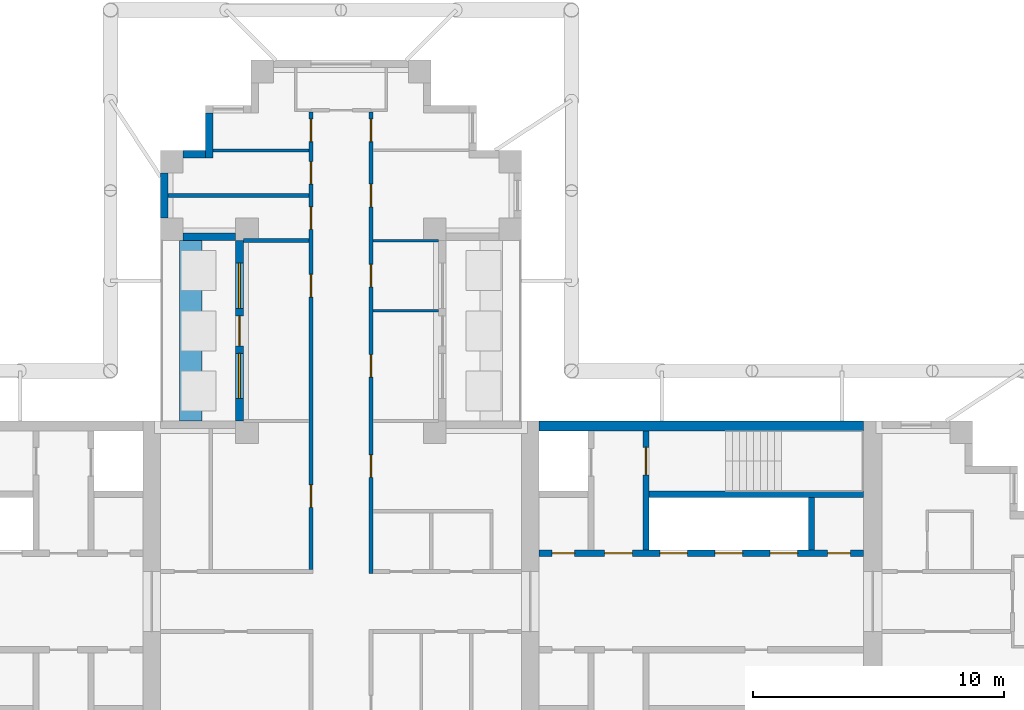
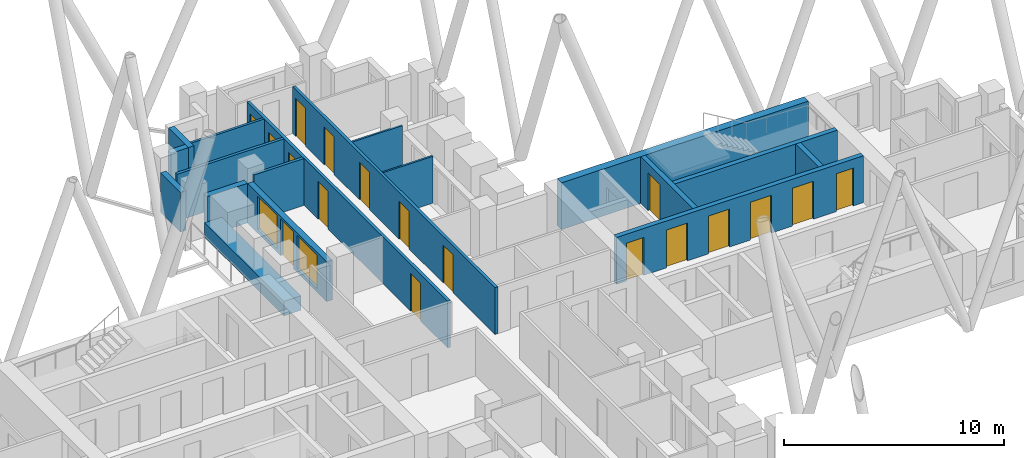
# One storey, part 7 of 12: 18 doors, 18 walls, 2 windows, 20 openings.
"""IFC4 building model written with IfcOpenShell, lengths in metres."""

from ifc_helpers import new_model, si_unit, direction, frame, frame_2d, origin, place, context, subcontext, project, spatial, rectangle, extrude, material, layer, layer_set, type_object, element, fill, save


model = new_model("IFC4")

# Units and contexts
model_context = context("Model", 3, precision=1e-05, world=origin(), true_north=direction((0.0, 1.0)))
body_context = subcontext(model_context, "Body", "Model", "MODEL_VIEW")
ifc_project = project(units=[si_unit("LENGTHUNIT", "METRE"), si_unit("AREAUNIT", "SQUARE_METRE"), si_unit("VOLUMEUNIT", "CUBIC_METRE"), si_unit("PLANEANGLEUNIT", "RADIAN"), si_unit("MASSUNIT", "GRAM", prefix="KILO")], contexts=[model_context])

# Site, building, storey
site_placement = place(None, origin())
site = spatial("IfcSite", under=ifc_project, at=site_placement, CompositionType="ELEMENT")
building_placement = place(site_placement, origin())
building = spatial("IfcBuilding", under=site, at=building_placement, Name="Fustian Cross Tower", CompositionType="ELEMENT")
storey_placement = place(building_placement, frame((0.0, 0.0, 188.699951171875)))
storey = spatial("IfcBuildingStorey", under=building, at=storey_placement, Name="L59", CompositionType="ELEMENT", Elevation=188.699951171875)

# Walls
ifc_material_1 = material(Name="Plasterboard on steel stud", Category="steel")
ifc_layer_1 = layer(ifc_material_1, 0.14990234375)
ifc_layer_set_1 = layer_set([ifc_layer_1], Name="Plasterboard on steel stud")
wall_type_1 = type_object("IfcWallType", Name="COMPARTMENT WALL 150 EI 60", PredefinedType="PARTITIONING", material=ifc_layer_set_1)
wall_1_placement = place(storey_placement, frame((-6.89990234375, 16.199951171875, 0.0), z_axis=(0.0, 0.0, 1.0), x_axis=(1.0, 0.0, 0.0)))
element("IfcWall", 1, at=wall_1_placement, inside=storey, type_object=wall_type_1, Name="Partition 15", PredefinedType="PARTITIONING", context=body_context, shape_type="SweptSolid", body=[
    extrude(rectangle(XDim=5.625, YDim=0.14990234375, at=frame_2d((2.8125, 0.0))), origin(), (0.0, 0.0, 1.0), 2.60009765625),
])
wall_2_placement = place(storey_placement, frame((-3.89990234375, 14.39990234375, 0.0), z_axis=(0.0, 0.0, 1.0), x_axis=(1.0, 0.0, 0.0)))
element("IfcWall", 2, at=wall_2_placement, inside=storey, type_object=wall_type_1, Name="Partition 22", PredefinedType="PARTITIONING", context=body_context, shape_type="SweptSolid", body=[
    extrude(rectangle(XDim=2.625, YDim=0.14990234375, at=frame_2d((1.3125, 0.0))), origin(), (0.0, 0.0, 1.0), 2.60009765625),
])

# Wall, openings, doors
wall_3_placement = place(storey_placement, frame((-1.199951171875, 1.27490234375, 0.0), z_axis=(0.0, 0.0, 1.0), x_axis=(0.0, 1.0, 0.0)))
wall_3 = element("IfcWall", 3, at=wall_3_placement, inside=storey, type_object=wall_type_1, Name="Partition 29", PredefinedType="PARTITIONING", context=body_context, shape_type="SweptSolid", body=[
    extrude(rectangle(XDim=18.25, YDim=0.14990234375, at=frame_2d((9.125, 0.0))), origin(), (0.0, 0.0, 1.0), 2.60009765625),
])
opening_1_placement = place(wall_3_placement, frame((2.47509765625, 0.0, 0.0)))
opening_1 = element("IfcOpeningElement", 4, at=opening_1_placement, cuts=wall_3, Name="Opening D27004", PredefinedType="OPENING", context=body_context, shape_type="SweptSolid", body=[
    extrude(rectangle(XDim=0.89990234375, YDim=2.10009765625, at=frame_2d((0.449951171875, 1.050048828125))), frame((0.0, 0.0849609375, 0.0), z_axis=(0.0, -1.0, 0.0), x_axis=(1.0, 0.0, 0.0)), (0.0, 0.0, 1.0), 0.169921875),
])
opening_2_placement = place(wall_3_placement, frame((10.875, 0.0, 0.0)))
opening_2 = element("IfcOpeningElement", 5, at=opening_2_placement, cuts=wall_3, Name="Opening D27015", PredefinedType="OPENING", context=body_context, shape_type="SweptSolid", body=[
    extrude(rectangle(XDim=0.89990234375, YDim=2.10009765625, at=frame_2d((0.449951171875, 1.050048828125))), frame((0.0, 0.0849609375, 0.0), z_axis=(0.0, -1.0, 0.0), x_axis=(1.0, 0.0, 0.0)), (0.0, 0.0, 1.0), 0.169921875),
])
opening_3_placement = place(wall_3_placement, frame((13.574951171875, 0.0, 0.0)))
opening_3 = element("IfcOpeningElement", 6, at=opening_3_placement, cuts=wall_3, Name="Opening D27016", PredefinedType="OPENING", context=body_context, shape_type="SweptSolid", body=[
    extrude(rectangle(XDim=0.89990234375, YDim=2.10009765625, at=frame_2d((0.449951171875, 1.050048828125))), frame((0.0, 0.0849609375, 0.0), z_axis=(0.0, -1.0, 0.0), x_axis=(1.0, 0.0, 0.0)), (0.0, 0.0, 1.0), 0.169921875),
])
opening_4_placement = place(wall_3_placement, frame((15.375, 0.0, 0.0)))
opening_4 = element("IfcOpeningElement", 7, at=opening_4_placement, cuts=wall_3, Name="Opening D27017", PredefinedType="OPENING", context=body_context, shape_type="SweptSolid", body=[
    extrude(rectangle(XDim=0.89990234375, YDim=2.10009765625, at=frame_2d((0.449951171875, 1.050048828125))), frame((0.0, 0.0849609375, 0.0), z_axis=(0.0, -1.0, 0.0), x_axis=(1.0, 0.0, 0.0)), (0.0, 0.0, 1.0), 0.169921875),
])
opening_5_placement = place(wall_3_placement, frame((17.074951171875, 0.0, 0.0)))
opening_5 = element("IfcOpeningElement", 8, at=opening_5_placement, cuts=wall_3, Name="Opening D27018", PredefinedType="OPENING", context=body_context, shape_type="SweptSolid", body=[
    extrude(rectangle(XDim=0.89990234375, YDim=2.10009765625, at=frame_2d((0.449951171875, 1.050048828125))), frame((0.0, 0.0849609375, 0.0), z_axis=(0.0, -1.0, 0.0), x_axis=(1.0, 0.0, 0.0)), (0.0, 0.0, 1.0), 0.169921875),
])
ifc_material_2 = material(Name="Timber fire door set", Category="wood")
door_type_1 = type_object("IfcDoorType", Name="FIRE SWING DOOR 900 FD30S", OperationType="SINGLE_SWING_LEFT", PredefinedType="DOOR", material=ifc_material_2)
door_1_placement = place(opening_1_placement, origin())
door_1 = element("IfcDoor", 9, at=door_1_placement, inside=storey, type_object=door_type_1, Name="Door D27004", OperationType="SINGLE_SWING_LEFT", OverallHeight=2.10009765625, OverallWidth=0.89990234375, PredefinedType="DOOR", context=body_context, shape_type="SweptSolid", body=[
    extrude(rectangle(XDim=0.89990234375, YDim=2.10009765625, at=frame_2d((0.449951171875, 1.050048828125))), frame((0.0, 0.02490234375, 0.0), z_axis=(0.0, -1.0, 0.0), x_axis=(1.0, 0.0, 0.0)), (0.0, 0.0, 1.0), 0.050048828125),
])
fill(opening_1, door_1)
door_2_placement = place(opening_2_placement, origin())
door_2 = element("IfcDoor", 10, at=door_2_placement, inside=storey, type_object=door_type_1, Name="Door D27015", OperationType="SINGLE_SWING_RIGHT", OverallHeight=2.10009765625, OverallWidth=0.89990234375, PredefinedType="DOOR", context=body_context, shape_type="SweptSolid", body=[
    extrude(rectangle(XDim=0.89990234375, YDim=2.10009765625, at=frame_2d((0.449951171875, 1.050048828125))), frame((0.0, 0.02490234375, 0.0), z_axis=(0.0, -1.0, 0.0), x_axis=(1.0, 0.0, 0.0)), (0.0, 0.0, 1.0), 0.050048828125),
])
fill(opening_2, door_2)
door_3_placement = place(opening_3_placement, origin())
door_3 = element("IfcDoor", 11, at=door_3_placement, inside=storey, type_object=door_type_1, Name="Door D27016", OperationType="SINGLE_SWING_RIGHT", OverallHeight=2.10009765625, OverallWidth=0.89990234375, PredefinedType="DOOR", context=body_context, shape_type="SweptSolid", body=[
    extrude(rectangle(XDim=0.89990234375, YDim=2.10009765625, at=frame_2d((0.449951171875, 1.050048828125))), frame((0.0, 0.02490234375, 0.0), z_axis=(0.0, -1.0, 0.0), x_axis=(1.0, 0.0, 0.0)), (0.0, 0.0, 1.0), 0.050048828125),
])
fill(opening_3, door_3)
door_4_placement = place(opening_4_placement, origin())
door_4 = element("IfcDoor", 12, at=door_4_placement, inside=storey, type_object=door_type_1, Name="Door D27017", OperationType="SINGLE_SWING_RIGHT", OverallHeight=2.10009765625, OverallWidth=0.89990234375, PredefinedType="DOOR", context=body_context, shape_type="SweptSolid", body=[
    extrude(rectangle(XDim=0.89990234375, YDim=2.10009765625, at=frame_2d((0.449951171875, 1.050048828125))), frame((0.0, 0.02490234375, 0.0), z_axis=(0.0, -1.0, 0.0), x_axis=(1.0, 0.0, 0.0)), (0.0, 0.0, 1.0), 0.050048828125),
])
fill(opening_4, door_4)
door_5_placement = place(opening_5_placement, origin())
door_5 = element("IfcDoor", 13, at=door_5_placement, inside=storey, type_object=door_type_1, Name="Door D27018", OperationType="SINGLE_SWING_LEFT", OverallHeight=2.10009765625, OverallWidth=0.89990234375, PredefinedType="DOOR", context=body_context, shape_type="SweptSolid", body=[
    extrude(rectangle(XDim=0.89990234375, YDim=2.10009765625, at=frame_2d((0.449951171875, 1.050048828125))), frame((0.0, 0.02490234375, 0.0), z_axis=(0.0, -1.0, 0.0), x_axis=(1.0, 0.0, 0.0)), (0.0, 0.0, 1.0), 0.050048828125),
])
fill(opening_5, door_5)

wall_4_placement = place(storey_placement, frame((1.199951171875, 1.125, 0.0), z_axis=(0.0, 0.0, 1.0), x_axis=(0.0, 1.0, 0.0)))
wall_4 = element("IfcWall", 14, at=wall_4_placement, inside=storey, type_object=wall_type_1, Name="Partition 39", PredefinedType="PARTITIONING", context=body_context, shape_type="SweptSolid", body=[
    extrude(rectangle(XDim=18.39990234375, YDim=0.14990234375, at=frame_2d((9.199951171875, 0.0))), origin(), (0.0, 0.0, 1.0), 2.60009765625),
])
opening_6_placement = place(wall_4_placement, frame((3.824951171875, 0.0, 0.0)))
opening_6 = element("IfcOpeningElement", 15, at=opening_6_placement, cuts=wall_4, Name="Opening D27003", PredefinedType="OPENING", context=body_context, shape_type="SweptSolid", body=[
    extrude(rectangle(XDim=0.89990234375, YDim=2.10009765625, at=frame_2d((0.449951171875, 1.050048828125))), frame((0.0, 0.0849609375, 0.0), z_axis=(0.0, -1.0, 0.0), x_axis=(1.0, 0.0, 0.0)), (0.0, 0.0, 1.0), 0.169921875),
])
opening_7_placement = place(wall_4_placement, frame((11.425048828125, 0.0, 0.0)))
opening_7 = element("IfcOpeningElement", 16, at=opening_7_placement, cuts=wall_4, Name="Opening D27019", PredefinedType="OPENING", context=body_context, shape_type="SweptSolid", body=[
    extrude(rectangle(XDim=0.89990234375, YDim=2.10009765625, at=frame_2d((0.449951171875, 1.050048828125))), frame((0.0, 0.0849609375, 0.0), z_axis=(0.0, -1.0, 0.0), x_axis=(1.0, 0.0, 0.0)), (0.0, 0.0, 1.0), 0.169921875),
])
opening_8_placement = place(wall_4_placement, frame((7.824951171875, 0.0, 0.0)))
opening_8 = element("IfcOpeningElement", 17, at=opening_8_placement, cuts=wall_4, Name="Opening D27020", PredefinedType="OPENING", context=body_context, shape_type="SweptSolid", body=[
    extrude(rectangle(XDim=0.89990234375, YDim=2.10009765625, at=frame_2d((0.449951171875, 1.050048828125))), frame((0.0, 0.0849609375, 0.0), z_axis=(0.0, -1.0, 0.0), x_axis=(1.0, 0.0, 0.0)), (0.0, 0.0, 1.0), 0.169921875),
])
opening_9_placement = place(wall_4_placement, frame((14.625, 0.0, 0.0)))
opening_9 = element("IfcOpeningElement", 18, at=opening_9_placement, cuts=wall_4, Name="Opening D27021", PredefinedType="OPENING", context=body_context, shape_type="SweptSolid", body=[
    extrude(rectangle(XDim=0.89990234375, YDim=2.10009765625, at=frame_2d((0.449951171875, 1.050048828125))), frame((0.0, 0.0849609375, 0.0), z_axis=(0.0, -1.0, 0.0), x_axis=(1.0, 0.0, 0.0)), (0.0, 0.0, 1.0), 0.169921875),
])
opening_10_placement = place(wall_4_placement, frame((17.22509765625, 0.0, 0.0)))
opening_10 = element("IfcOpeningElement", 19, at=opening_10_placement, cuts=wall_4, Name="Opening D27022", PredefinedType="OPENING", context=body_context, shape_type="SweptSolid", body=[
    extrude(rectangle(XDim=0.89990234375, YDim=2.10009765625, at=frame_2d((0.449951171875, 1.050048828125))), frame((0.0, 0.0849609375, 0.0), z_axis=(0.0, -1.0, 0.0), x_axis=(1.0, 0.0, 0.0)), (0.0, 0.0, 1.0), 0.169921875),
])
door_6_placement = place(opening_6_placement, frame((0.89990234375, 0.0, 0.0), z_axis=(0.0, 0.0, 1.0), x_axis=(-1.0, 0.0, 0.0)))
door_6 = element("IfcDoor", 20, at=door_6_placement, inside=storey, type_object=door_type_1, Name="Door D27003", OperationType="SINGLE_SWING_RIGHT", OverallHeight=2.10009765625, OverallWidth=0.89990234375, PredefinedType="DOOR", context=body_context, shape_type="SweptSolid", body=[
    extrude(rectangle(XDim=0.89990234375, YDim=2.10009765625, at=frame_2d((0.449951171875, 1.050048828125))), frame((0.0, 0.02490234375, 0.0), z_axis=(0.0, -1.0, 0.0), x_axis=(1.0, 0.0, 0.0)), (0.0, 0.0, 1.0), 0.050048828125),
])
fill(opening_6, door_6)
door_7_placement = place(opening_7_placement, frame((0.89990234375, 0.0, 0.0), z_axis=(0.0, 0.0, 1.0), x_axis=(-1.0, 0.0, 0.0)))
door_7 = element("IfcDoor", 21, at=door_7_placement, inside=storey, type_object=door_type_1, Name="Door D27019", OperationType="SINGLE_SWING_RIGHT", OverallHeight=2.10009765625, OverallWidth=0.89990234375, PredefinedType="DOOR", context=body_context, shape_type="SweptSolid", body=[
    extrude(rectangle(XDim=0.89990234375, YDim=2.10009765625, at=frame_2d((0.449951171875, 1.050048828125))), frame((0.0, 0.02490234375, 0.0), z_axis=(0.0, -1.0, 0.0), x_axis=(1.0, 0.0, 0.0)), (0.0, 0.0, 1.0), 0.050048828125),
])
fill(opening_7, door_7)
door_8_placement = place(opening_8_placement, frame((0.89990234375, 0.0, 0.0), z_axis=(0.0, 0.0, 1.0), x_axis=(-1.0, 0.0, 0.0)))
door_8 = element("IfcDoor", 22, at=door_8_placement, inside=storey, type_object=door_type_1, Name="Door D27020", OperationType="SINGLE_SWING_RIGHT", OverallHeight=2.10009765625, OverallWidth=0.89990234375, PredefinedType="DOOR", context=body_context, shape_type="SweptSolid", body=[
    extrude(rectangle(XDim=0.89990234375, YDim=2.10009765625, at=frame_2d((0.449951171875, 1.050048828125))), frame((0.0, 0.02490234375, 0.0), z_axis=(0.0, -1.0, 0.0), x_axis=(1.0, 0.0, 0.0)), (0.0, 0.0, 1.0), 0.050048828125),
])
fill(opening_8, door_8)
door_9_placement = place(opening_9_placement, frame((0.89990234375, 0.0, 0.0), z_axis=(0.0, 0.0, 1.0), x_axis=(-1.0, 0.0, 0.0)))
door_9 = element("IfcDoor", 23, at=door_9_placement, inside=storey, type_object=door_type_1, Name="Door D27021", OperationType="SINGLE_SWING_RIGHT", OverallHeight=2.10009765625, OverallWidth=0.89990234375, PredefinedType="DOOR", context=body_context, shape_type="SweptSolid", body=[
    extrude(rectangle(XDim=0.89990234375, YDim=2.10009765625, at=frame_2d((0.449951171875, 1.050048828125))), frame((0.0, 0.02490234375, 0.0), z_axis=(0.0, -1.0, 0.0), x_axis=(1.0, 0.0, 0.0)), (0.0, 0.0, 1.0), 0.050048828125),
])
fill(opening_9, door_9)
door_10_placement = place(opening_10_placement, frame((0.89990234375, 0.0, 0.0), z_axis=(0.0, 0.0, 1.0), x_axis=(-1.0, 0.0, 0.0)))
door_10 = element("IfcDoor", 24, at=door_10_placement, inside=storey, type_object=door_type_1, Name="Door D27022", OperationType="SINGLE_SWING_RIGHT", OverallHeight=2.10009765625, OverallWidth=0.89990234375, PredefinedType="DOOR", context=body_context, shape_type="SweptSolid", body=[
    extrude(rectangle(XDim=0.89990234375, YDim=2.10009765625, at=frame_2d((0.449951171875, 1.050048828125))), frame((0.0, 0.02490234375, 0.0), z_axis=(0.0, -1.0, 0.0), x_axis=(1.0, 0.0, 0.0)), (0.0, 0.0, 1.0), 0.050048828125),
])
fill(opening_10, door_10)

# Wall
ifc_material_3 = material(Name="Concrete C50/60", Category="concrete")
ifc_layer_2 = layer(ifc_material_3, 0.39990234375)
ifc_layer_set_2 = layer_set([ifc_layer_2], Name="Concrete C50/60")
wall_type_2 = type_object("IfcWallType", Name="CORE FACADE WALL 400 C50/60", PredefinedType="SHEAR", material=ifc_layer_set_2)
wall_5_placement = place(storey_placement, frame((7.89990234375, 7.0, 0.0), z_axis=(0.0, 0.0, 1.0), x_axis=(1.0, 0.0, 0.0)))
element("IfcWall", 25, at=wall_5_placement, inside=storey, type_object=wall_type_2, Name="Core facade wall", PredefinedType="SHEAR", context=body_context, shape_type="SweptSolid", body=[
    extrude(rectangle(XDim=12.9501953125, YDim=0.39990234375, at=frame_2d((6.47509765625, 0.0))), origin(), (0.0, 0.0, 1.0), 2.60009765625),
])

# Wall, openings, doors
ifc_material_4 = material(Name="Concrete C50/60", Category="concrete")
ifc_layer_3 = layer(ifc_material_4, 0.25)
ifc_layer_set_3 = layer_set([ifc_layer_3], Name="Concrete C50/60")
wall_type_3 = type_object("IfcWallType", Name="CORE LOBBY WALL 250 C50/60", PredefinedType="SHEAR", material=ifc_layer_set_3)
wall_6_placement = place(storey_placement, frame((7.89990234375, 1.925048828125, 0.0), z_axis=(0.0, 0.0, 1.0), x_axis=(1.0, 0.0, 0.0)))
wall_6 = element("IfcWall", 26, at=wall_6_placement, inside=storey, type_object=wall_type_3, Name="Core lobby wall", PredefinedType="SHEAR", context=body_context, shape_type="SweptSolid", body=[
    extrude(rectangle(XDim=12.9501953125, YDim=0.25, at=frame_2d((6.47509765625, 0.0))), origin(), (0.0, 0.0, 1.0), 2.60009765625),
])
opening_11_placement = place(wall_6_placement, frame((4.824951171875, 0.0, 0.0)))
opening_11 = element("IfcOpeningElement", 27, at=opening_11_placement, cuts=wall_6, Name="Opening LD", PredefinedType="OPENING", context=body_context, shape_type="SweptSolid", body=[
    extrude(rectangle(XDim=1.10009765625, YDim=2.10009765625, at=frame_2d((0.550048828125, 1.050048828125))), frame((0.0, 0.135009765625, 0.0), z_axis=(0.0, -1.0, 0.0), x_axis=(1.0, 0.0, 0.0)), (0.0, 0.0, 1.0), 0.27001953125),
])
opening_12_placement = place(wall_6_placement, frame((7.02490234375, 0.0, 0.0)))
opening_12 = element("IfcOpeningElement", 28, at=opening_12_placement, cuts=wall_6, Name="Opening LD", PredefinedType="OPENING", context=body_context, shape_type="SweptSolid", body=[
    extrude(rectangle(XDim=1.10009765625, YDim=2.10009765625, at=frame_2d((0.550048828125, 1.050048828125))), frame((0.0, 0.135009765625, 0.0), z_axis=(0.0, -1.0, 0.0), x_axis=(1.0, 0.0, 0.0)), (0.0, 0.0, 1.0), 0.27001953125),
])
opening_13_placement = place(wall_6_placement, frame((9.22509765625, 0.0, 0.0)))
opening_13 = element("IfcOpeningElement", 29, at=opening_13_placement, cuts=wall_6, Name="Opening LD", PredefinedType="OPENING", context=body_context, shape_type="SweptSolid", body=[
    extrude(rectangle(XDim=1.10009765625, YDim=2.10009765625, at=frame_2d((0.550048828125, 1.050048828125))), frame((0.0, 0.135009765625, 0.0), z_axis=(0.0, -1.0, 0.0), x_axis=(1.0, 0.0, 0.0)), (0.0, 0.0, 1.0), 0.27001953125),
])
opening_14_placement = place(wall_6_placement, frame((0.52490234375, 0.0, 0.0)))
opening_14 = element("IfcOpeningElement", 30, at=opening_14_placement, cuts=wall_6, Name="Opening CD-24-08", PredefinedType="OPENING", context=body_context, shape_type="SweptSolid", body=[
    extrude(rectangle(XDim=0.89990234375, YDim=2.10009765625, at=frame_2d((0.449951171875, 1.050048828125))), frame((0.0, 0.135009765625, 0.0), z_axis=(0.0, -1.0, 0.0), x_axis=(1.0, 0.0, 0.0)), (0.0, 0.0, 1.0), 0.27001953125),
])
opening_15_placement = place(wall_6_placement, frame((2.625, 0.0, 0.0)))
opening_15 = element("IfcOpeningElement", 31, at=opening_15_placement, cuts=wall_6, Name="Opening CD-24-10", PredefinedType="OPENING", context=body_context, shape_type="SweptSolid", body=[
    extrude(rectangle(XDim=1.10009765625, YDim=2.10009765625, at=frame_2d((0.550048828125, 1.050048828125))), frame((0.0, 0.135009765625, 0.0), z_axis=(0.0, -1.0, 0.0), x_axis=(1.0, 0.0, 0.0)), (0.0, 0.0, 1.0), 0.27001953125),
])
opening_16_placement = place(wall_6_placement, frame((11.52490234375, 0.0, 0.0)))
opening_16 = element("IfcOpeningElement", 32, at=opening_16_placement, cuts=wall_6, Name="Opening CD-24-14", PredefinedType="OPENING", context=body_context, shape_type="SweptSolid", body=[
    extrude(rectangle(XDim=0.89990234375, YDim=2.10009765625, at=frame_2d((0.449951171875, 1.050048828125))), frame((0.0, 0.135009765625, 0.0), z_axis=(0.0, -1.0, 0.0), x_axis=(1.0, 0.0, 0.0)), (0.0, 0.0, 1.0), 0.27001953125),
])
ifc_material_5 = material(Name="Steel", Category="steel")
door_type_2 = type_object("IfcDoorType", Name="FIRE DOOR FD30S 900X2100", OperationType="SINGLE_SWING_LEFT", PredefinedType="DOOR", material=ifc_material_5)
door_11_placement = place(opening_16_placement, origin())
door_11 = element("IfcDoor", 33, at=door_11_placement, inside=storey, type_object=door_type_2, Name="Core door CD-24-14", OperationType="SINGLE_SWING_LEFT", OverallHeight=2.10009765625, OverallWidth=0.89990234375, PredefinedType="DOOR", context=body_context, shape_type="SweptSolid", body=[
    extrude(rectangle(XDim=0.89990234375, YDim=2.10009765625, at=frame_2d((0.449951171875, 1.050048828125))), frame((0.0, 0.02490234375, 0.0), z_axis=(0.0, -1.0, 0.0), x_axis=(1.0, 0.0, 0.0)), (0.0, 0.0, 1.0), 0.050048828125),
])
fill(opening_16, door_11)
ifc_material_6 = material(Name="Steel", Category="steel")
door_type_3 = type_object("IfcDoorType", Name="FIRE DOOR FD60S 1100X2100", OperationType="SINGLE_SWING_LEFT", PredefinedType="DOOR", material=ifc_material_6)
door_12_placement = place(opening_15_placement, frame((1.10009765625, 0.0, 0.0), z_axis=(0.0, 0.0, 1.0), x_axis=(-1.0, 0.0, 0.0)))
door_12 = element("IfcDoor", 34, at=door_12_placement, inside=storey, type_object=door_type_3, Name="Core door CD-24-10", OperationType="SINGLE_SWING_RIGHT", OverallHeight=2.10009765625, OverallWidth=1.10009765625, PredefinedType="DOOR", context=body_context, shape_type="SweptSolid", body=[
    extrude(rectangle(XDim=1.10009765625, YDim=2.10009765625, at=frame_2d((0.550048828125, 1.050048828125))), frame((0.0, 0.02490234375, 0.0), z_axis=(0.0, -1.0, 0.0), x_axis=(1.0, 0.0, 0.0)), (0.0, 0.0, 1.0), 0.050048828125),
])
fill(opening_15, door_12)
ifc_material_7 = material(Name="Steel", Category="steel")
door_type_4 = type_object("IfcDoorType", Name="FIRE DOOR FD60S 900X2100", OperationType="SINGLE_SWING_LEFT", PredefinedType="DOOR", material=ifc_material_7)
door_13_placement = place(opening_14_placement, origin())
door_13 = element("IfcDoor", 35, at=door_13_placement, inside=storey, type_object=door_type_4, Name="Core door CD-24-08", OperationType="SINGLE_SWING_LEFT", OverallHeight=2.10009765625, OverallWidth=0.89990234375, PredefinedType="DOOR", context=body_context, shape_type="SweptSolid", body=[
    extrude(rectangle(XDim=0.89990234375, YDim=2.10009765625, at=frame_2d((0.449951171875, 1.050048828125))), frame((0.0, 0.02490234375, 0.0), z_axis=(0.0, -1.0, 0.0), x_axis=(1.0, 0.0, 0.0)), (0.0, 0.0, 1.0), 0.050048828125),
])
fill(opening_14, door_13)
ifc_material_8 = material(Name="Stainless steel", Category="steel")
door_type_5 = type_object("IfcDoorType", Name="LIFT LANDING DOOR 1100X2100", OperationType="SLIDING_TO_LEFT", PredefinedType="DOOR", material=ifc_material_8)
door_14_placement = place(opening_11_placement, origin())
door_14 = element("IfcDoor", 36, at=door_14_placement, inside=storey, type_object=door_type_5, Name="Landing door HR1", OperationType="SLIDING_TO_LEFT", OverallHeight=2.10009765625, OverallWidth=1.10009765625, PredefinedType="DOOR", context=body_context, shape_type="SweptSolid", body=[
    extrude(rectangle(XDim=1.10009765625, YDim=2.10009765625, at=frame_2d((0.550048828125, 1.050048828125))), frame((0.0, 0.02490234375, 0.0), z_axis=(0.0, -1.0, 0.0), x_axis=(1.0, 0.0, 0.0)), (0.0, 0.0, 1.0), 0.050048828125),
])
fill(opening_11, door_14)
door_15_placement = place(opening_12_placement, origin())
door_15 = element("IfcDoor", 37, at=door_15_placement, inside=storey, type_object=door_type_5, Name="Landing door HR2", OperationType="SLIDING_TO_LEFT", OverallHeight=2.10009765625, OverallWidth=1.10009765625, PredefinedType="DOOR", context=body_context, shape_type="SweptSolid", body=[
    extrude(rectangle(XDim=1.10009765625, YDim=2.10009765625, at=frame_2d((0.550048828125, 1.050048828125))), frame((0.0, 0.02490234375, 0.0), z_axis=(0.0, -1.0, 0.0), x_axis=(1.0, 0.0, 0.0)), (0.0, 0.0, 1.0), 0.050048828125),
])
fill(opening_12, door_15)
door_16_placement = place(opening_13_placement, origin())
door_16 = element("IfcDoor", 38, at=door_16_placement, inside=storey, type_object=door_type_5, Name="Landing door HR3", OperationType="SLIDING_TO_LEFT", OverallHeight=2.10009765625, OverallWidth=1.10009765625, PredefinedType="DOOR", context=body_context, shape_type="SweptSolid", body=[
    extrude(rectangle(XDim=1.10009765625, YDim=2.10009765625, at=frame_2d((0.550048828125, 1.050048828125))), frame((0.0, 0.02490234375, 0.0), z_axis=(0.0, -1.0, 0.0), x_axis=(1.0, 0.0, 0.0)), (0.0, 0.0, 1.0), 0.050048828125),
])
fill(opening_13, door_16)

# Wall
ifc_material_9 = material(Name="Concrete C50/60", Category="concrete")
ifc_layer_4 = layer(ifc_material_9, 0.25)
ifc_layer_set_4 = layer_set([ifc_layer_4], Name="Concrete C50/60")
wall_type_4 = type_object("IfcWallType", Name="CORE SHAFT WALL 250 C50/60", PredefinedType="SHEAR", material=ifc_layer_set_4)
wall_7_placement = place(storey_placement, frame((12.300048828125, 4.27490234375, 0.0), z_axis=(0.0, 0.0, 1.0), x_axis=(1.0, 0.0, 0.0)))
element("IfcWall", 39, at=wall_7_placement, inside=storey, type_object=wall_type_4, Name="Core shaft wall", PredefinedType="SHEAR", context=body_context, shape_type="SweptSolid", body=[
    extrude(rectangle(XDim=8.550048828125, YDim=0.25, at=frame_2d((4.27490234375, 0.0))), origin(), (0.0, 0.0, 1.0), 2.60009765625),
])

# Wall, opening, door
wall_8_placement = place(storey_placement, frame((12.175048828125, 2.050048828125, 0.0), z_axis=(0.0, 0.0, 1.0), x_axis=(0.0, 1.0, 0.0)))
wall_8 = element("IfcWall", 40, at=wall_8_placement, inside=storey, type_object=wall_type_4, Name="Core shaft wall", PredefinedType="SHEAR", context=body_context, shape_type="SweptSolid", body=[
    extrude(rectangle(XDim=4.75, YDim=0.25, at=frame_2d((2.375, 0.0))), origin(), (0.0, 0.0, 1.0), 2.60009765625),
])
opening_17_placement = place(wall_8_placement, frame((3.0, 0.0, 0.0)))
opening_17 = element("IfcOpeningElement", 41, at=opening_17_placement, cuts=wall_8, Name="Opening CD-24-06", PredefinedType="OPENING", context=body_context, shape_type="SweptSolid", body=[
    extrude(rectangle(XDim=1.10009765625, YDim=2.10009765625, at=frame_2d((0.550048828125, 1.050048828125))), frame((0.0, 0.135009765625, 0.0), z_axis=(0.0, -1.0, 0.0), x_axis=(1.0, 0.0, 0.0)), (0.0, 0.0, 1.0), 0.27001953125),
])
door_17_placement = place(opening_17_placement, frame((1.10009765625, 0.0, 0.0), z_axis=(0.0, 0.0, 1.0), x_axis=(-1.0, 0.0, 0.0)))
door_17 = element("IfcDoor", 42, at=door_17_placement, inside=storey, type_object=door_type_3, Name="Core door CD-24-06", OperationType="SINGLE_SWING_RIGHT", OverallHeight=2.10009765625, OverallWidth=1.10009765625, PredefinedType="DOOR", context=body_context, shape_type="SweptSolid", body=[
    extrude(rectangle(XDim=1.10009765625, YDim=2.10009765625, at=frame_2d((0.550048828125, 1.050048828125))), frame((0.0, 0.02490234375, 0.0), z_axis=(0.0, -1.0, 0.0), x_axis=(1.0, 0.0, 0.0)), (0.0, 0.0, 1.0), 0.050048828125),
])
fill(opening_17, door_17)

# Walls
ifc_material_10 = material(Name="Plasterboard on steel stud", Category="steel")
ifc_layer_5 = layer(ifc_material_10, 0.10009765625)
ifc_layer_set_5 = layer_set([ifc_layer_5], Name="Plasterboard on steel stud")
wall_type_5 = type_object("IfcWallType", Name="PARTITION 100 STUD", PredefinedType="PARTITIONING", material=ifc_layer_set_5)
for number, where, z_axis, x_axis, name in (
    (43, (1.27490234375, 11.60009765625, 0.0), (0.0, 0.0, 1.0), (1.0, 0.0, 0.0), "Partition 43"),
    (44, (1.27490234375, 14.39990234375, 0.0), (0.0, 0.0, 1.0), (1.0, 0.0, 0.0), "Partition 44"),
):
    element("IfcWall", number, at=place(storey_placement, frame(where, z_axis=z_axis, x_axis=x_axis)), inside=storey, type_object=wall_type_5, Name=name, PredefinedType="PARTITIONING", context=body_context, shape_type="SweptSolid", body=[
        extrude(rectangle(XDim=2.625, YDim=0.10009765625, at=frame_2d((1.3125, 0.0))), origin(), (0.0, 0.0, 1.0), 2.60009765625),
    ])
ifc_material_11 = material(Name="Concrete C40/50", Category="concrete")
ifc_layer_6 = layer(ifc_material_11, 0.89990234375)
ifc_layer_set_6 = layer_set([ifc_layer_6], Name="Concrete C40/50")
wall_type_6 = type_object("IfcWallType", Name="PK1 PLANTER 900", PredefinedType="PARAPET", material=ifc_layer_set_6)
wall_9_placement = place(storey_placement, frame((-6.0, 7.199951171875, 0.0), z_axis=(0.0, 0.0, 1.0), x_axis=(0.0, 1.0, 0.0)))
element("IfcWall", 45, at=wall_9_placement, inside=storey, type_object=wall_type_6, Name="PLANTER", PredefinedType="PARAPET", context=body_context, shape_type="SweptSolid", body=[
    extrude(rectangle(XDim=7.199951171875, YDim=0.89990234375, at=frame_2d((3.60009765625, 0.0))), origin(), (0.0, 0.0, 1.0), 0.800048828125),
])
ifc_material_12 = material(Name="Concrete C40/50", Category="concrete")
ifc_layer_7 = layer(ifc_material_12, 0.25)
ifc_layer_set_7 = layer_set([ifc_layer_7], Name="Concrete C40/50")
wall_type_7 = type_object("IfcWallType", Name="SHAFT PARTITION WALL 250 C40/50", PredefinedType="PARTITIONING", material=ifc_layer_set_7)
wall_10_placement = place(storey_placement, frame((18.77490234375, 2.050048828125, 0.0), z_axis=(0.0, 0.0, 1.0), x_axis=(0.0, 1.0, 0.0)))
element("IfcWall", 46, at=wall_10_placement, inside=storey, type_object=wall_type_7, Name="Core shaft wall", PredefinedType="PARTITIONING", context=body_context, shape_type="SweptSolid", body=[
    extrude(rectangle(XDim=2.099853515625, YDim=0.25, at=frame_2d((1.0498046875, 0.0))), origin(), (0.0, 0.0, 1.0), 2.60009765625),
])
ifc_material_13 = material(Name="Plasterboard on steel stud", Category="steel")
ifc_layer_8 = layer(ifc_material_13, 0.125)
ifc_layer_set_8 = layer_set([ifc_layer_8], Name="Plasterboard on steel stud")
wall_type_8 = type_object("IfcWallType", Name="WET WALL 125 STUD", PredefinedType="PARTITIONING", material=ifc_layer_set_8)
wall_11_placement = place(storey_placement, frame((-5.10009765625, 18.0, 0.0), z_axis=(0.0, 0.0, 1.0), x_axis=(1.0, 0.0, 0.0)))
element("IfcWall", 47, at=wall_11_placement, inside=storey, type_object=wall_type_8, Name="Partition 18", PredefinedType="PARTITIONING", context=body_context, shape_type="SweptSolid", body=[
    extrude(rectangle(XDim=3.8251953125, YDim=0.125, at=frame_2d((1.91259765625, 0.0))), origin(), (0.0, 0.0, 1.0), 2.60009765625),
])
ifc_material_14 = material(Name="Dark aluminium cladding on insulated backing wall", Category="aluminium")
ifc_layer_9 = layer(ifc_material_14, 0.300048828125)
ifc_layer_set_9 = layer_set([ifc_layer_9], Name="Dark aluminium cladding on insulated backing wall")
wall_type_9 = type_object("IfcWallType", Name="XW1 EXTERNAL WALL 300", PredefinedType="SOLIDWALL", material=ifc_layer_set_9)
wall_12_placement = place(storey_placement, frame((-5.25, 19.5, 0.0), z_axis=(0.0, 0.0, 1.0), x_axis=(0.0, -1.0, 0.0)))
element("IfcWall", 48, at=wall_12_placement, inside=storey, type_object=wall_type_9, Name="External wall", PredefinedType="SOLIDWALL", context=body_context, shape_type="SweptSolid", body=[
    extrude(rectangle(XDim=1.800048828125, YDim=0.300048828125, at=frame_2d((0.89990234375, 0.0))), origin(), (0.0, 0.0, 1.0), 2.60009765625),
])
wall_13_placement = place(storey_placement, frame((-5.39990234375, 17.85009765625, 0.0), z_axis=(0.0, 0.0, 1.0), x_axis=(-1.0, 0.0, 0.0)))
element("IfcWall", 49, at=wall_13_placement, inside=storey, type_object=wall_type_9, Name="External wall", PredefinedType="SOLIDWALL", context=body_context, shape_type="SweptSolid", body=[
    extrude(rectangle(XDim=0.900146484375, YDim=0.300048828125, at=frame_2d((0.4501953125, 0.0))), origin(), (0.0, 0.0, 1.0), 2.60009765625),
])
wall_14_placement = place(storey_placement, frame((-7.050048828125, 17.10009765625, 0.0), z_axis=(0.0, 0.0, 1.0), x_axis=(0.0, -1.0, 0.0)))
element("IfcWall", 50, at=wall_14_placement, inside=storey, type_object=wall_type_9, Name="External wall", PredefinedType="SOLIDWALL", context=body_context, shape_type="SweptSolid", body=[
    extrude(rectangle(XDim=1.800048828125, YDim=0.300048828125, at=frame_2d((0.89990234375, 0.0))), origin(), (0.0, 0.0, 1.0), 2.199951171875),
])
wall_15_placement = place(storey_placement, frame((-6.300048828125, 14.550048828125, 0.0), z_axis=(0.0, 0.0, 1.0), x_axis=(1.0, 0.0, 0.0)))
element("IfcWall", 51, at=wall_15_placement, inside=storey, type_object=wall_type_9, Name="External wall", PredefinedType="SOLIDWALL", context=body_context, shape_type="SweptSolid", body=[
    extrude(rectangle(XDim=2.10009765625, YDim=0.300048828125, at=frame_2d((1.050048828125, 0.0))), origin(), (0.0, 0.0, 1.0), 2.199951171875),
])

# Wall, openings, door, windows
wall_16_placement = place(storey_placement, frame((-4.050048828125, 14.39990234375, 0.0), z_axis=(0.0, 0.0, 1.0), x_axis=(0.0, -1.0, 0.0)))
wall_16 = element("IfcWall", 52, at=wall_16_placement, inside=storey, type_object=wall_type_9, Name="External wall", PredefinedType="SOLIDWALL", context=body_context, shape_type="SweptSolid", body=[
    extrude(rectangle(XDim=7.199951171875, YDim=0.300048828125, at=frame_2d((3.60009765625, 0.0))), origin(), (0.0, 0.0, 1.0), 2.199951171875),
])
opening_18_placement = place(wall_16_placement, frame((3.0, 0.0, 0.0)))
opening_18 = element("IfcOpeningElement", 53, at=opening_18_placement, cuts=wall_16, Name="Opening XD2", PredefinedType="OPENING", context=body_context, shape_type="SweptSolid", body=[
    extrude(rectangle(XDim=1.199951171875, YDim=2.050048828125, at=frame_2d((0.60009765625, 1.02490234375))), frame((0.0, 0.159912109375, 0.0), z_axis=(0.0, -1.0, 0.0), x_axis=(1.0, 0.0, 0.0)), (0.0, 0.0, 1.0), 0.320068359375),
])
opening_19_placement = place(wall_16_placement, frame((0.89990234375, 0.0, 0.199951171875)))
opening_19 = element("IfcOpeningElement", 54, at=opening_19_placement, cuts=wall_16, Name="Opening WN2", PredefinedType="OPENING", context=body_context, shape_type="SweptSolid", body=[
    extrude(rectangle(XDim=1.800048828125, YDim=1.85009765625, at=frame_2d((0.89990234375, 0.925048828125))), frame((0.0, 0.159912109375, 0.0), z_axis=(0.0, -1.0, 0.0), x_axis=(1.0, 0.0, 0.0)), (0.0, 0.0, 1.0), 0.320068359375),
])
opening_20_placement = place(wall_16_placement, frame((4.5, 0.0, 0.199951171875)))
opening_20 = element("IfcOpeningElement", 55, at=opening_20_placement, cuts=wall_16, Name="Opening WN2", PredefinedType="OPENING", context=body_context, shape_type="SweptSolid", body=[
    extrude(rectangle(XDim=1.800048828125, YDim=1.85009765625, at=frame_2d((0.89990234375, 0.925048828125))), frame((0.0, 0.159912109375, 0.0), z_axis=(0.0, -1.0, 0.0), x_axis=(1.0, 0.0, 0.0)), (0.0, 0.0, 1.0), 0.320068359375),
])
ifc_material_15 = material(Name="Dark anodised aluminium and double glazing", Category="aluminium")
door_type_6 = type_object("IfcDoorType", Name="ED1 BALCONY DOOR 1200X2050", OperationType="SINGLE_SWING_LEFT", PredefinedType="DOOR", material=ifc_material_15)
door_18_placement = place(opening_18_placement, origin())
door_18 = element("IfcDoor", 56, at=door_18_placement, inside=storey, type_object=door_type_6, Name="Balcony door", OperationType="SINGLE_SWING_LEFT", OverallHeight=2.050048828125, OverallWidth=1.199951171875, PredefinedType="DOOR", context=body_context, shape_type="SweptSolid", body=[
    extrude(rectangle(XDim=1.199951171875, YDim=2.050048828125, at=frame_2d((0.60009765625, 1.02490234375))), frame((0.0, 0.02490234375, 0.0), z_axis=(0.0, -1.0, 0.0), x_axis=(1.0, 0.0, 0.0)), (0.0, 0.0, 1.0), 0.050048828125),
])
fill(opening_18, door_18)
ifc_material_16 = material(Name="Dark anodised aluminium and double glazing", Category="aluminium")
window_type = type_object("IfcWindowType", Name="WN2 WINDOW 1800X1850", PartitioningType="SINGLE_PANEL", PredefinedType="WINDOW", material=ifc_material_16)
window_1_placement = place(opening_19_placement, origin())
window_1 = element("IfcWindow", 57, at=window_1_placement, inside=storey, type_object=window_type, Name="Window", OverallHeight=1.85009765625, OverallWidth=1.800048828125, PartitioningType="SINGLE_PANEL", PredefinedType="WINDOW", context=body_context, shape_type="SweptSolid", body=[
    extrude(rectangle(XDim=1.800048828125, YDim=1.85009765625, at=frame_2d((0.89990234375, 0.925048828125))), frame((0.0, 0.030029296875, 0.0), z_axis=(0.0, -1.0, 0.0), x_axis=(1.0, 0.0, 0.0)), (0.0, 0.0, 1.0), 0.06005859375),
])
fill(opening_19, window_1)
window_2_placement = place(opening_20_placement, origin())
window_2 = element("IfcWindow", 58, at=window_2_placement, inside=storey, type_object=window_type, Name="Window", OverallHeight=1.85009765625, OverallWidth=1.800048828125, PartitioningType="SINGLE_PANEL", PredefinedType="WINDOW", context=body_context, shape_type="SweptSolid", body=[
    extrude(rectangle(XDim=1.800048828125, YDim=1.85009765625, at=frame_2d((0.89990234375, 0.925048828125))), frame((0.0, 0.030029296875, 0.0), z_axis=(0.0, -1.0, 0.0), x_axis=(1.0, 0.0, 0.0)), (0.0, 0.0, 1.0), 0.06005859375),
])
fill(opening_20, window_2)

save(model, "model.ifc")
